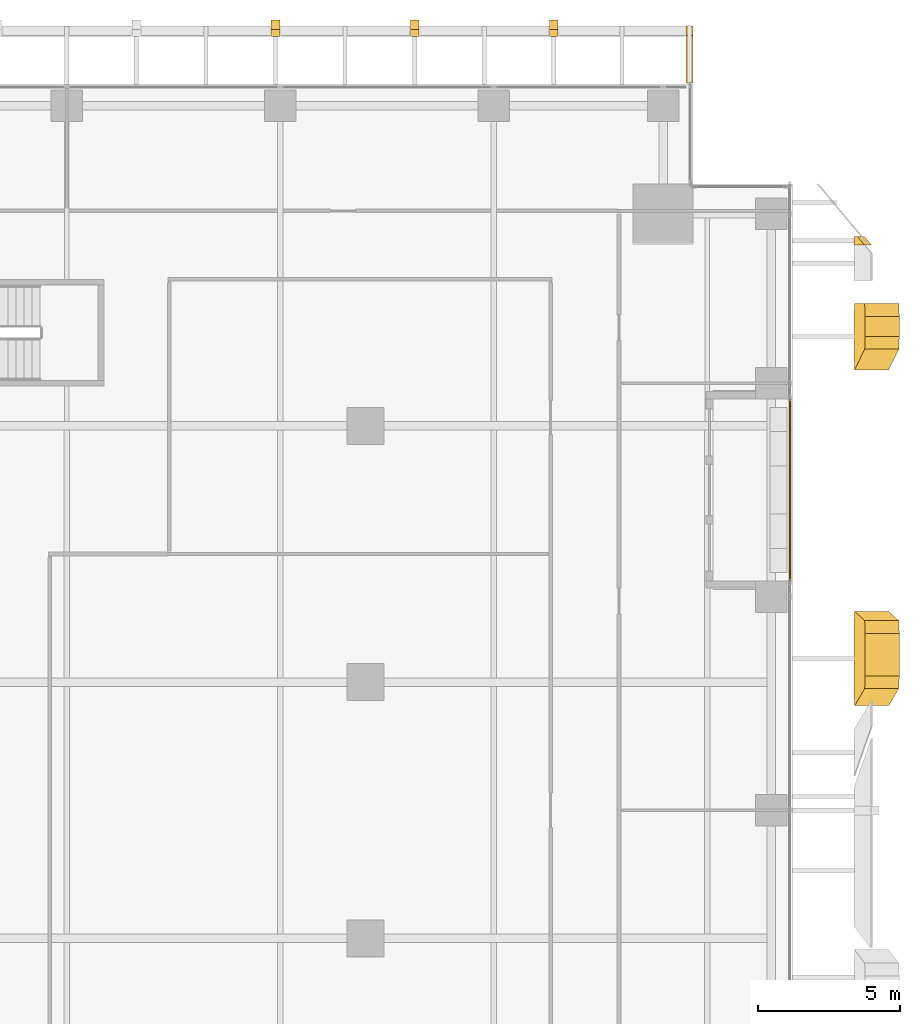
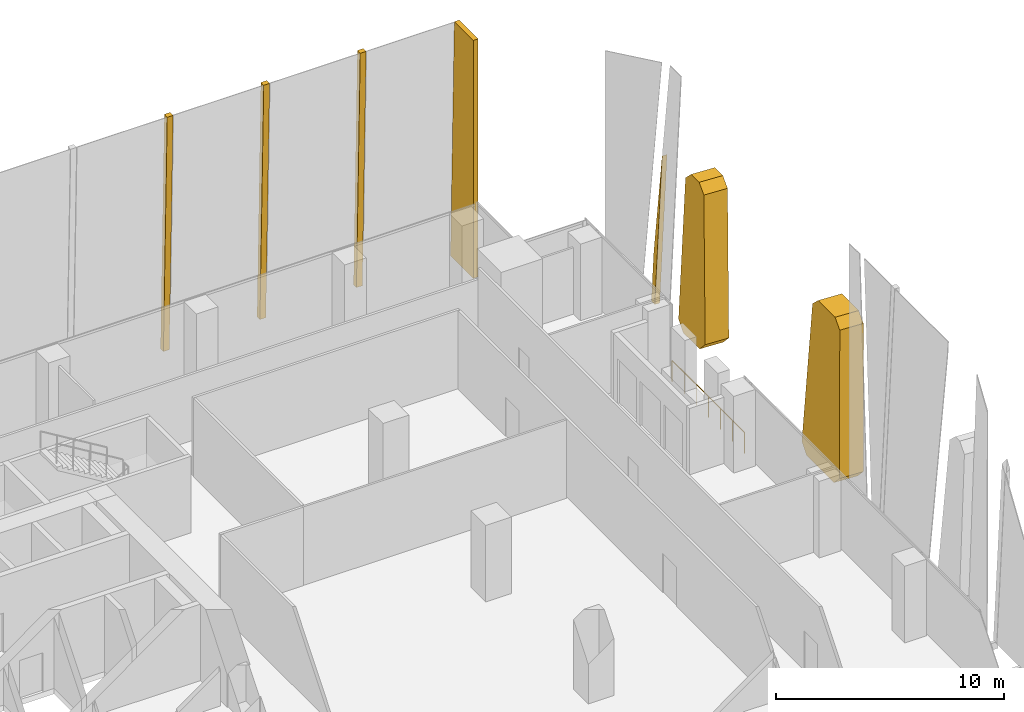
# One storey, part 34 of 35: 7 coverings, 1 railing.
"""IFC4 building model written with IfcOpenShell, lengths in metres."""

from ifc_helpers import new_model, si_unit, direction, frame, origin, origin_2d, place, context, subcontext, project, spatial, polyline, circle, outline, extrude, source, transform, mapped, material, layer, layer_set, type_object, element, save


model = new_model("IFC4")

# Units and contexts
model_context = context("Model", 3, precision=1e-05, world=origin(), true_north=direction((0.0, 1.0)))
body_context = subcontext(model_context, "Body", "Model", "MODEL_VIEW")
ifc_project = project(units=[si_unit("LENGTHUNIT", "METRE"), si_unit("AREAUNIT", "SQUARE_METRE"), si_unit("VOLUMEUNIT", "CUBIC_METRE"), si_unit("PLANEANGLEUNIT", "RADIAN"), si_unit("MASSUNIT", "GRAM", prefix="KILO")], contexts=[model_context])

# Site, building, storey
site_placement = place(None, origin())
site = spatial("IfcSite", under=ifc_project, at=site_placement, CompositionType="ELEMENT")
building_placement = place(site_placement, origin())
building = spatial("IfcBuilding", under=site, at=building_placement, Name="Khomas Fold Tower", CompositionType="ELEMENT")
storey_placement = place(building_placement, frame((0.0, 0.0, 127.89990234375)))
storey = spatial("IfcBuildingStorey", under=building, at=storey_placement, Name="L27", CompositionType="ELEMENT", Elevation=127.89990234375)

# Coverings
ifc_material_1 = material(Name="Natural stone cladding", Category="masonry")
ifc_layer_1 = layer(ifc_material_1, 0.25)
ifc_layer_set_1 = layer_set([ifc_layer_1], Name="Natural stone cladding")
covering_type_1 = type_object("IfcCoveringType", Name="SK-Karibib marble stone mullion", PredefinedType="CLADDING", material=ifc_layer_set_1)
covering_1_placement = place(storey_placement, frame((54.774658203125, 47.14990234375, 2.56103515625), z_axis=(-0.998875137058, 2.0950935e-05, 0.047417930458), x_axis=(-0.047417930469, -5.1e-11, -0.998875137277)))
element("IfcCovering", 1, at=covering_1_placement, inside=storey, type_object=covering_type_1, Name="OUTER SKIN mullion L27 EM107-12", PredefinedType="CLADDING", context=body_context, shape_type="SweptSolid", body=[
    extrude(outline(polyline([(0.0, 0.0), (2.563919511574395, -8.470329472543003e-22), (2.5639195115897833, 0.2998046874342016), (-5.272531841327027, 0.29980468796801524), (0.0, 0.0)])), origin(), (0.0, 0.0, -1.0), 0.25),
])
for number, where, z_axis, x_axis, name in (
    (2, (34.183349609375, 54.758544921875, 0.006591796875), (0.0, 0.999657592188, 0.026166741891), (1.0, 0.0, 0.0), "OUTER SKIN mullion L27 N12"),
    (3, (39.072265625, 54.758544921875, 0.006591796875), (0.0, 0.999657592188, 0.026166741891), (1.0, 0.0, 0.0), "OUTER SKIN mullion L27 N14"),
    (4, (43.961181640625, 54.758544921875, 0.006591796875), (0.0, 0.999657592188, 0.026166741891), (1.0, 0.0, 0.0), "OUTER SKIN mullion L27 N16"),
):
    element("IfcCovering", number, at=place(storey_placement, frame(where, z_axis=z_axis, x_axis=x_axis)), inside=storey, type_object=covering_type_1, Name=name, PredefinedType="CLADDING", context=body_context, shape_type="SweptSolid", body=[
        extrude(outline(polyline([(0.0, 0.0), (0.300048828125, 0.0), (0.300048828125, -12.754367194966619), (0.0, -12.754367194966619), (0.0, 0.0)])), origin(), (0.0, 0.0, -1.0), 0.25),
    ])
covering_2_placement = place(storey_placement, frame((49.0, 52.550048828125, 0.0), z_axis=(1.0, 0.0, 0.0), x_axis=(0.0, 1.0, 0.0)))
element("IfcCovering", 5, at=covering_2_placement, inside=storey, type_object=covering_type_1, Name="OUTER SKIN return L27 N2", PredefinedType="CLADDING", context=body_context, shape_type="SweptSolid", body=[
    extrude(outline(polyline([(0.0, 0.0), (1.99853515625, 0.0), (1.664794921875, 12.75), (0.0, 12.75), (0.0, 0.0)])), origin(), (0.0, 0.0, -1.0), 0.25),
])
ifc_material_2 = material(Name="Natural stone cladding", Category="masonry")
ifc_layer_2 = layer(ifc_material_2, 1.199951171875)
ifc_layer_set_2 = layer_set([ifc_layer_2], Name="Natural stone cladding")
covering_type_2 = type_object("IfcCoveringType", Name="SK-Karibib marble stone panel", PredefinedType="CLADDING", material=ifc_layer_set_2)
covering_3_placement = place(storey_placement, frame((55.029052734375, 33.658203125, 7.919677734375), z_axis=(-0.998874796848, 1.874741e-05, 0.047425097464), x_axis=(-0.047379538025, 0.043429652, -0.997932384836)))
element("IfcCovering", 6, at=covering_3_placement, inside=storey, type_object=covering_type_2, Name="OUTER SKIN leaf L27 ES09-3", PredefinedType="CLADDING", context=body_context, shape_type="SweptSolid", body=[
    extrude(outline(polyline([(0.0, 0.0), (7.465377654339592, -5.551115123125783e-17), (7.915666572049119, 0.4697060986971454), (7.810835280710503, 2.881246989987251), (7.3049361993070026, 3.308165097591589), (-0.12022449457467826, 2.3830134236092517), (-0.5146465805494316, 1.9169577499018424), (-0.4500216467263439, 0.43032462231883495), (0.0, 0.0)])), origin(), (0.0, 0.0, -1.0), 1.199951171875),
])
covering_4_placement = place(storey_placement, frame((54.676513671875, 42.470947265625, 0.49365234375), z_axis=(-0.998874730953, -5.749942e-06, 0.047426488703), x_axis=(0.047203528829, 0.096731150802, 0.994190580991)))
element("IfcCovering", 7, at=covering_4_placement, inside=storey, type_object=covering_type_2, Name="OUTER SKIN leaf L27 ES12-4", PredefinedType="CLADDING", context=body_context, shape_type="SweptSolid", body=[
    extrude(outline(polyline([(0.0, 0.0), (7.493485907943198, 0.0), (7.941840724031341, 0.40628930368722505), (8.01018543848924, 1.1095189722018768), (7.605358377850639, 1.6009340000157901), (0.18199990893539514, 2.322387227531752), (-0.31011846333292814, 1.918143550947425), (-0.44855547651613736, 0.4937025292359913), (0.0, 0.0)])), origin(), (0.0, 0.0, -1.0), 1.199951171875),
])

# Railing
ifc_material_3 = material(Name="Powder-coated steel", Category="steel")
railing_type = type_object("IfcRailingType", Name="Balcony guard", PredefinedType="GUARDRAIL", material=ifc_material_3)
shared_shape = source(origin(), body_context, "Body", "SweptSolid", [
    extrude(circle(Radius=0.02490234375, at=origin_2d()), frame((0.0, 0.0, 1.125), z_axis=(0.0, 1.0, 0.0), x_axis=(-1.0, 0.0, 0.0)), (0.0, 0.0, 1.0), 6.33984375),
    extrude(circle(Radius=0.02001953125, at=origin_2d()), origin(), (0.0, 0.0, 1.0), 1.099853515625),
    extrude(circle(Radius=0.02001953125, at=origin_2d()), frame((0.0, 1.056640625, 0.0)), (0.0, 0.0, 1.0), 1.099853515625),
    extrude(circle(Radius=0.02001953125, at=origin_2d()), frame((0.0, 2.11328125, 0.0)), (0.0, 0.0, 1.0), 1.099853515625),
    extrude(circle(Radius=0.02001953125, at=origin_2d()), frame((0.0, 3.169921875, 0.0)), (0.0, 0.0, 1.0), 1.099853515625),
    extrude(circle(Radius=0.02001953125, at=origin_2d()), frame((0.0, 4.2265625, 0.0)), (0.0, 0.0, 1.0), 1.099853515625),
    extrude(circle(Radius=0.02001953125, at=origin_2d()), frame((0.0, 5.283203125, 0.0)), (0.0, 0.0, 1.0), 1.099853515625),
    extrude(circle(Radius=0.02001953125, at=origin_2d()), frame((0.0, 6.33984375, 0.0)), (0.0, 0.0, 1.0), 1.099853515625),
])
railing_placement = place(storey_placement, frame((52.39990234375, 35.080078125, -0.044921875)))
element("IfcRailing", 8, at=railing_placement, inside=storey, type_object=railing_type, Name="Balcony guard BAL-L27-E4", PredefinedType="GUARDRAIL", context=body_context, shape_type="MappedRepresentation", body=[
    mapped(shared_shape, transform((0.0, 0.0, 0.0))),
])

save(model, "model.ifc")
